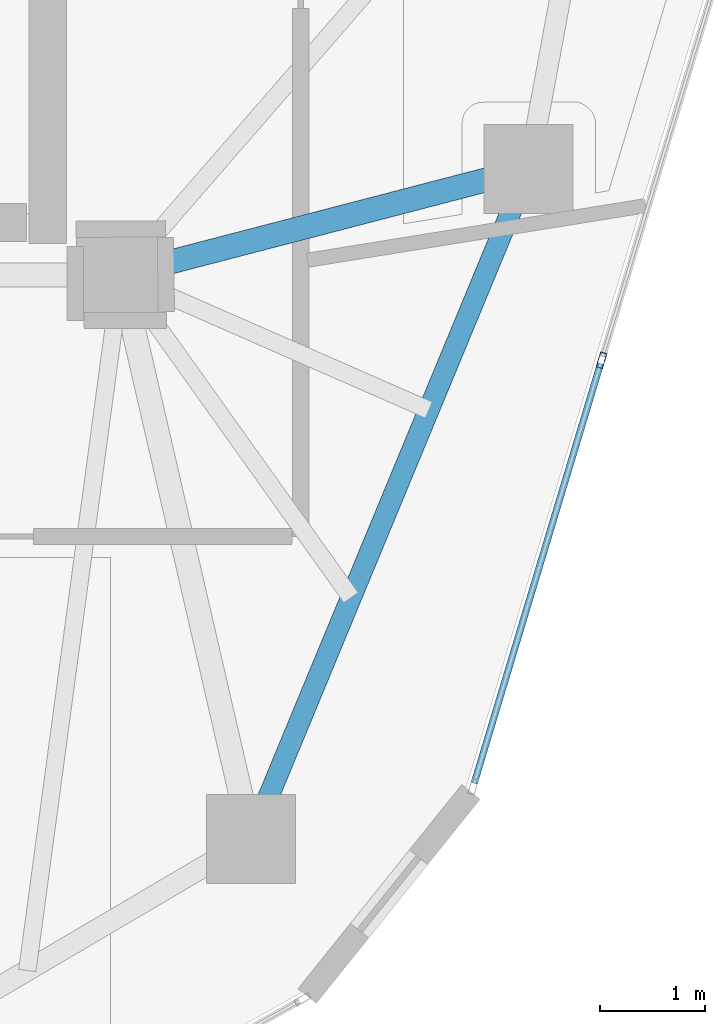
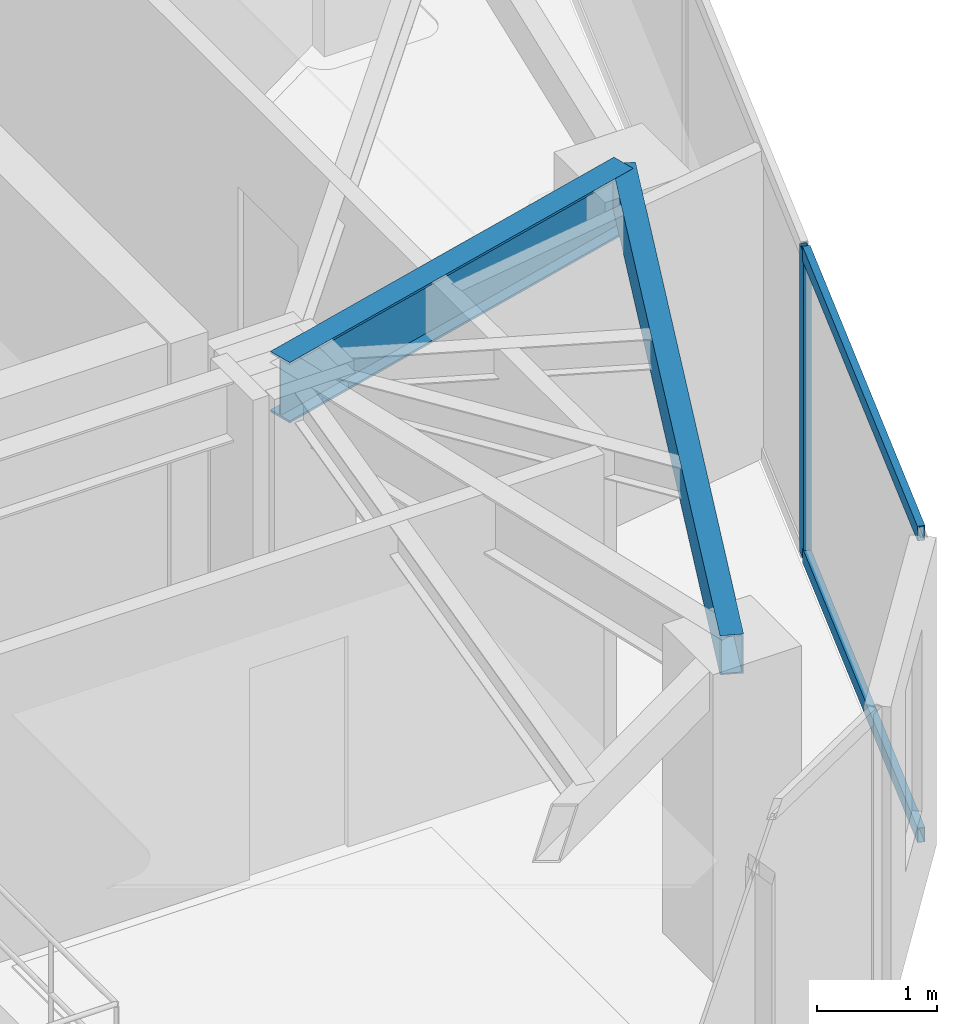
# One storey, part 7 of 20: 3 members, 2 beams, 1 element without a shape of its own.
"""IFC4 building model written with IfcOpenShell, lengths in metres."""

from ifc_helpers import new_model, si_unit, direction, frame, origin, origin_2d, place, context, subcontext, project, spatial, hollow_rectangle, i_section, extrude, source, transform, mapped, material, layer, layer_set, material_profile, profile_set, type_object, type_shapes, element, aggregate, save


model = new_model("IFC4")

# Units and contexts
model_context = context("Model", 3, precision=1e-05, world=origin(), true_north=direction((0.0, 1.0)))
body_context = subcontext(model_context, "Body", "Model", "MODEL_VIEW")
ifc_project = project(units=[si_unit("LENGTHUNIT", "METRE"), si_unit("AREAUNIT", "SQUARE_METRE"), si_unit("VOLUMEUNIT", "CUBIC_METRE"), si_unit("PLANEANGLEUNIT", "RADIAN"), si_unit("MASSUNIT", "GRAM", prefix="KILO")], contexts=[model_context])

# Site, building, storey
site_placement = place(None, origin())
site = spatial("IfcSite", under=ifc_project, at=site_placement, CompositionType="ELEMENT")
building_placement = place(site_placement, origin())
building = spatial("IfcBuilding", under=site, at=building_placement, Name="Talar Marvaseh", CompositionType="ELEMENT")
storey_placement = place(building_placement, frame((0.0, 0.0, 257.800048828125)))
storey = spatial("IfcBuildingStorey", under=building, at=storey_placement, Name="L68", CompositionType="ELEMENT", Elevation=257.800048828125)

# Beams
ifc_material_1 = material(Name="Steel S355", Category="steel")
ifc_material_profile_1 = material_profile(ifc_material_1, hollow_rectangle(XDim=0.199951171875, YDim=0.39990234375, WallThickness=0.013916015625, at=origin_2d()), Name="RHS400x200x14")
ifc_profile_set_1 = profile_set([ifc_material_profile_1], Name="Steel S355")
beam_type_1 = type_object("IfcBeamType", Name="Zone 3 Perimeter Spandrel Beam RHS400x200x14", PredefinedType="SPANDREL", material=ifc_profile_set_1)
beam_1_placement = place(storey_placement, frame((37.197021484375, 26.513916015625, 2.93994140625), z_axis=(-0.382798740112, -0.923831762048, 0.0), x_axis=(0.923831762048, -0.382798740112, 0.0)))
element("IfcBeam", 1, at=beam_1_placement, inside=storey, type_object=beam_type_1, Name="L68 Zone 3 Perimeter Spandrel Beam RHS400x200x14", PredefinedType="SPANDREL", context=body_context, shape_type="SweptSolid", body=[
    extrude(hollow_rectangle(XDim=0.199951171875, YDim=0.39990234375, WallThickness=0.013916015625, at=origin_2d()), origin(), (0.0, 0.0, 1.0), 6.9306640625),
])
ifc_material_profile_2 = material_profile(ifc_material_1, i_section(OverallWidth=0.22998046875, OverallDepth=0.616943359375, WebThickness=0.01318359375, FlangeThickness=0.022216796875, at=origin_2d()), Name="W610x140")
ifc_profile_set_2 = profile_set([ifc_material_profile_2], Name="Steel S355")
beam_type_2 = type_object("IfcBeamType", Name="Zone 4 Radial Floor Girder W610x140", PredefinedType="BEAM", material=ifc_profile_set_2)
beam_2_placement = place(storey_placement, frame((37.197021484375, 26.513916015625, 2.83154296875), z_axis=(-0.967779967746, -0.251797406719, 0.0), x_axis=(0.251797406719, -0.967779967746, 0.0)))
element("IfcBeam", 2, at=beam_2_placement, inside=storey, type_object=beam_type_2, Name="L68 Zone 4 Radial Floor Girder W610x140", PredefinedType="BEAM", context=body_context, shape_type="SweptSolid", body=[
    extrude(i_section(OverallWidth=0.22998046875, OverallDepth=0.616943359375, WebThickness=0.01318359375, FlangeThickness=0.022216796875, at=origin_2d()), origin(), (0.0, 0.0, 1.0), 4.026611328125),
])

# Curtain wall, members
ifc_material_2 = material(Name="Architectural Aluminium", Category="aluminium")
ifc_layer = layer(ifc_material_2, 0.179931640625)
ifc_layer_set = layer_set([ifc_layer], Name="Architectural Aluminium")
curtain_wall_type = type_object("IfcCurtainWallType", Name="Unitised High-Wind Sky Curtain Wall Z4", PredefinedType="NOTDEFINED", material=ifc_layer_set)
curtain_wall_placement = place(storey_placement, origin())
curtain_wall = element("IfcCurtainWall", 3, at=curtain_wall_placement, inside=storey, type_object=curtain_wall_type, Name="L68 Unitised High-Wind Sky Curtain Wall Z4", PredefinedType="NOTDEFINED")
ifc_material_profile_3 = material_profile(ifc_material_2, hollow_rectangle(XDim=0.06494140625, YDim=0.14990234375, WallThickness=0.00390625, at=origin_2d()), Name="RHS150x65x4")
ifc_profile_set_3 = profile_set([ifc_material_profile_3], Name="Architectural Aluminium")
member_type_1 = type_object("IfcMemberType", Name="Unitised Curtain Wall Slim Mullion RHS150x65x4", PredefinedType="MULLION", material=ifc_profile_set_3)
shared_shape_1 = source(origin(), body_context, "Body", "SweptSolid", [
    extrude(hollow_rectangle(XDim=0.06494140625, YDim=0.14990234375, WallThickness=0.00390625, at=origin_2d()), origin(), (0.0, 0.0, 1.0), 3.139892578125),
])
type_shapes(member_type_1, [shared_shape_1])
member_1_placement = place(storey_placement, frame((37.89306640625, 24.68408203125, 0.0), z_axis=(0.0, 0.0, 1.0), x_axis=(0.957526215299, -0.288346227677, 0.0)))
member_1 = element("IfcMember", 4, at=member_1_placement, type_object=member_type_1, Name="CW-Z4 mullion 4", PredefinedType="MULLION", context=body_context, shape_type="MappedRepresentation", body=[
    mapped(shared_shape_1, transform((0.0, 0.0, 0.0), x_axis=(1.0, 0.0, 0.0), y_axis=(0.0, 1.0, 0.0), z_axis=(0.0, 0.0, 1.0), scale=1.0)),
])
ifc_material_profile_4 = material_profile(ifc_material_2, hollow_rectangle(XDim=0.06494140625, YDim=0.14990234375, WallThickness=0.00390625, at=origin_2d()), Name="RHS150x65x4")
ifc_profile_set_4 = profile_set([ifc_material_profile_4], Name="Architectural Aluminium")
member_type_2 = type_object("IfcMemberType", Name="Unitised Curtain Wall Slim Transom RHS150x65x4", PredefinedType="USERDEFINED", material=ifc_profile_set_4)
shared_shape_2 = source(origin(), body_context, "Body", "SweptSolid", [
    extrude(hollow_rectangle(XDim=0.06494140625, YDim=0.14990234375, WallThickness=0.00390625, at=origin_2d()), origin(), (0.0, 0.0, 1.0), 4.188720703125),
])
type_shapes(member_type_2, [shared_shape_2])
member_2_placement = place(storey_placement, frame((37.883544921875, 24.653076171875, 0.032470703125), z_axis=(-0.288342340953, -0.957527385725, 0.0), x_axis=(0.957527385725, -0.288342340953, 0.0)))
member_2 = element("IfcMember", 5, at=member_2_placement, type_object=member_type_2, Name="CW-Z4 transom 4.1", ObjectType="TRANSOM", PredefinedType="USERDEFINED", context=body_context, shape_type="MappedRepresentation", body=[
    mapped(shared_shape_2, transform((0.0, 0.0, 0.0), x_axis=(1.0, 0.0, 0.0), y_axis=(0.0, 1.0, 0.0), z_axis=(0.0, 0.0, 1.0), scale=1.0)),
])
member_3_placement = place(storey_placement, frame((37.883544921875, 24.653076171875, 3.107421875), z_axis=(-0.288342340953, -0.957527385725, 0.0), x_axis=(0.957527385725, -0.288342340953, 0.0)))
member_3 = element("IfcMember", 6, at=member_3_placement, type_object=member_type_2, Name="CW-Z4 transom 4.2", ObjectType="TRANSOM", PredefinedType="USERDEFINED", context=body_context, shape_type="MappedRepresentation", body=[
    mapped(shared_shape_2, transform((0.0, 0.0, 0.0), x_axis=(1.0, 0.0, 0.0), y_axis=(0.0, 1.0, 0.0), z_axis=(0.0, 0.0, 1.0), scale=1.0)),
])
aggregate(curtain_wall, [member_1, member_2, member_3])

save(model, "model.ifc")
